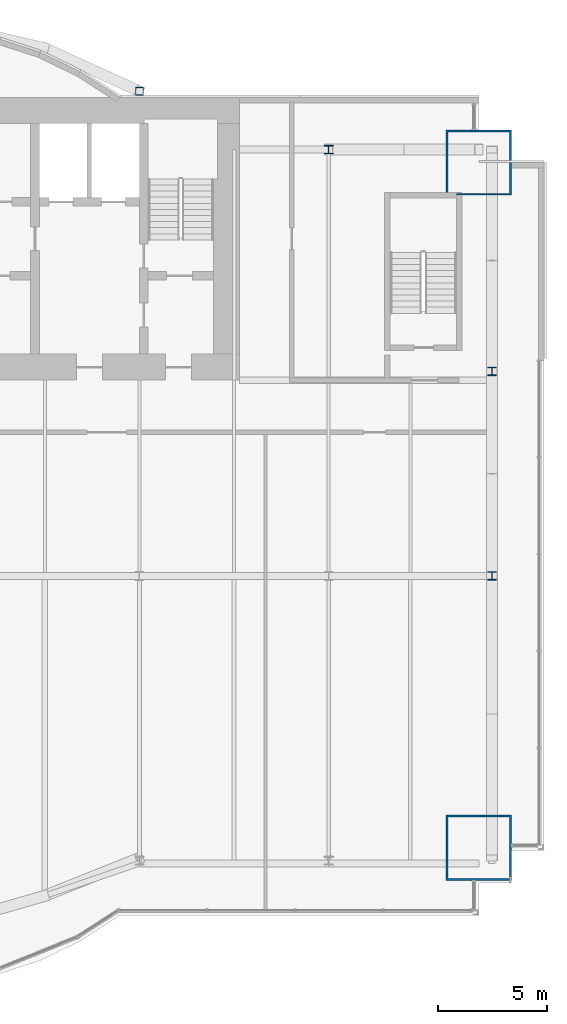
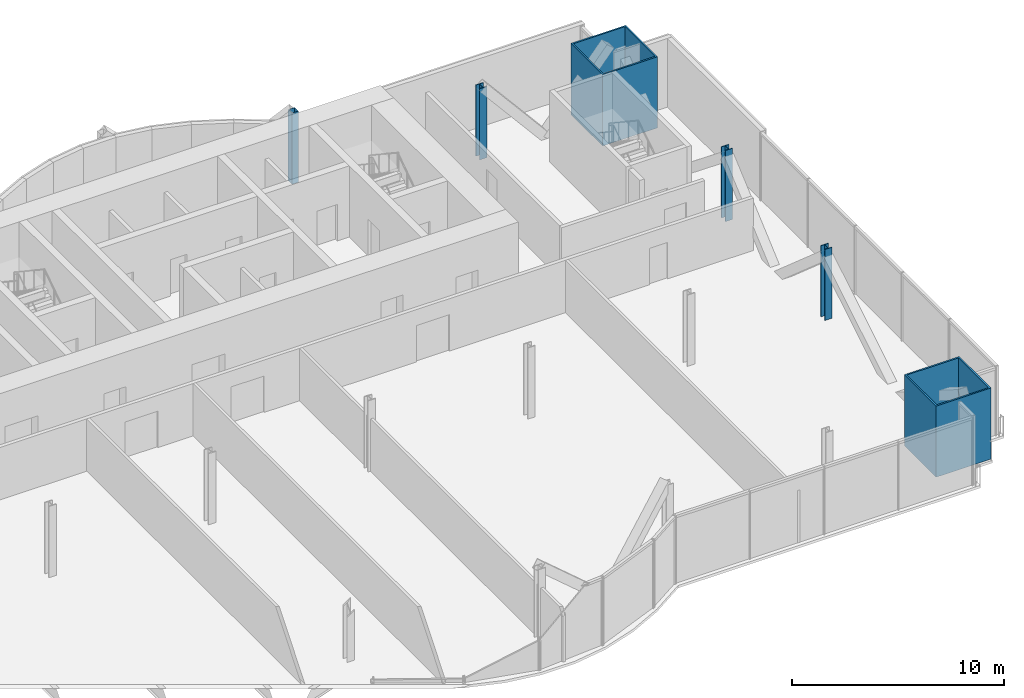
# One storey, part 3 of 21: 6 columns.
"""IFC4 building model written with IfcOpenShell, lengths in metres."""

from ifc_helpers import new_model, si_unit, direction, frame, origin, origin_2d, place, context, subcontext, project, spatial, hollow_rectangle, i_section, extrude, material, material_profile, profile_set, type_object, element, save


model = new_model("IFC4")

# Units and contexts
model_context = context("Model", 3, precision=1e-05, world=origin(), true_north=direction((0.0, 1.0)))
body_context = subcontext(model_context, "Body", "Model", "MODEL_VIEW")
ifc_project = project(units=[si_unit("LENGTHUNIT", "METRE"), si_unit("AREAUNIT", "SQUARE_METRE"), si_unit("VOLUMEUNIT", "CUBIC_METRE"), si_unit("PLANEANGLEUNIT", "RADIAN"), si_unit("MASSUNIT", "GRAM", prefix="KILO")], contexts=[model_context])

# Site, building, storey
site_placement = place(None, origin())
site = spatial("IfcSite", under=ifc_project, at=site_placement, CompositionType="ELEMENT")
building_placement = place(site_placement, origin())
building = spatial("IfcBuilding", under=site, at=building_placement, Name="Bicima Exchange Tower", CompositionType="ELEMENT")
storey_placement = place(building_placement, frame((0.0, 0.0, 114.5)))
storey = spatial("IfcBuildingStorey", under=building, at=storey_placement, Name="L24", CompositionType="ELEMENT", Elevation=114.5)

# Columns
ifc_material_1 = material(Name="Steel ASTM A572 Gr 50", Category="steel")
ifc_material_profile_1 = material_profile(ifc_material_1, hollow_rectangle(XDim=3.0, YDim=3.0, WallThickness=0.090087890625, at=origin_2d()))
ifc_profile_set_1 = profile_set([ifc_material_profile_1], Name="Steel ASTM A572 Gr 50")
column_type_1 = type_object("IfcColumnType", Name="Mega column BOX 3000x3000x90", PredefinedType="COLUMN", material=ifc_profile_set_1)
for number, where, z_axis, x_axis, name in (
    (1, (33.0, -34.486083984375, 0.0), (0.0, 0.0, 1.0), (1.0, 0.0, 0.0), "Mega column mega+33.0f"),
    (2, (33.0, -3.0, 0.0), (0.0, 0.0, 1.0), (1.0, 0.0, 0.0), "Mega column mega+33.0r"),
):
    element("IfcColumn", number, at=place(storey_placement, frame(where, z_axis=z_axis, x_axis=x_axis)), inside=storey, type_object=column_type_1, Name=name, PredefinedType="COLUMN", context=body_context, shape_type="SweptSolid", body=[
        extrude(hollow_rectangle(XDim=3.0, YDim=3.0, WallThickness=0.090087890625, at=origin_2d()), origin(), (0.0, 0.0, 1.0), 4.10009765625),
    ])
ifc_material_2 = material(Name="Steel ASTM A992 Gr 50", Category="steel")
ifc_material_profile_2 = material_profile(ifc_material_2, i_section(OverallWidth=0.398681640625, OverallDepth=0.393798828125, WebThickness=0.022705078125, FlangeThickness=0.03662109375, at=origin_2d()))
ifc_profile_set_2 = profile_set([ifc_material_profile_2], Name="Steel ASTM A992 Gr 50")
column_type_2 = type_object("IfcColumnType", Name="Perimeter column W14x193", PredefinedType="COLUMN", material=ifc_profile_set_2)
for number, where, z_axis, x_axis, name in (
    (3, (26.10009765625, -2.39990234375, 0.0), (0.0, 0.0, 1.0), (1.0, 0.0, 0.0), "Perimeter column grav+26.1r"),
    (4, (33.60009765625, -12.60009765625, 0.0), (0.0, 0.0, 1.0), (1.0, 0.0, 0.0), "End column end+33.6e"),
    (5, (33.60009765625, -22.0, 0.0), (0.0, 0.0, 1.0), (1.0, 0.0, 0.0), "End column end+33.6e"),
):
    element("IfcColumn", number, at=place(storey_placement, frame(where, z_axis=z_axis, x_axis=x_axis)), inside=storey, type_object=column_type_2, Name=name, PredefinedType="COLUMN", context=body_context, shape_type="SweptSolid", body=[
        extrude(i_section(OverallWidth=0.398681640625, OverallDepth=0.393798828125, WebThickness=0.022705078125, FlangeThickness=0.03662109375, at=origin_2d()), origin(), (0.0, 0.0, 1.0), 4.10009765625),
    ])
ifc_material_profile_3 = material_profile(ifc_material_1, hollow_rectangle(XDim=0.355712890625, YDim=0.355712890625, WallThickness=0.01171875, at=origin_2d()))
ifc_profile_set_3 = profile_set([ifc_material_profile_3], Name="Steel ASTM A572 Gr 50")
column_type_3 = type_object("IfcColumnType", Name="Rear pilaster HSS14x14x1/2", PredefinedType="COLUMN", material=ifc_profile_set_3)
column_placement = place(storey_placement, frame((17.39990234375, 0.278076171875, 0.0), z_axis=(0.0, 0.0, 1.0), x_axis=(1.0, 0.0, 0.0)))
element("IfcColumn", 6, at=column_placement, inside=storey, type_object=column_type_3, Name="Rear pilaster rexo+17.4r", PredefinedType="COLUMN", context=body_context, shape_type="SweptSolid", body=[
    extrude(hollow_rectangle(XDim=0.355712890625, YDim=0.355712890625, WallThickness=0.01171875, at=origin_2d()), origin(), (0.0, 0.0, 1.0), 4.10009765625),
])

save(model, "model.ifc")
